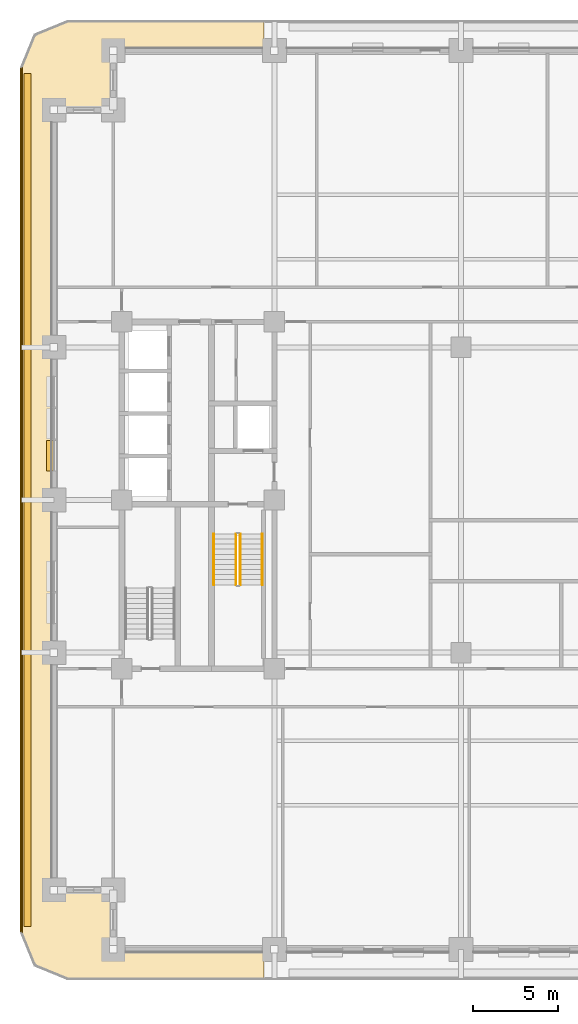
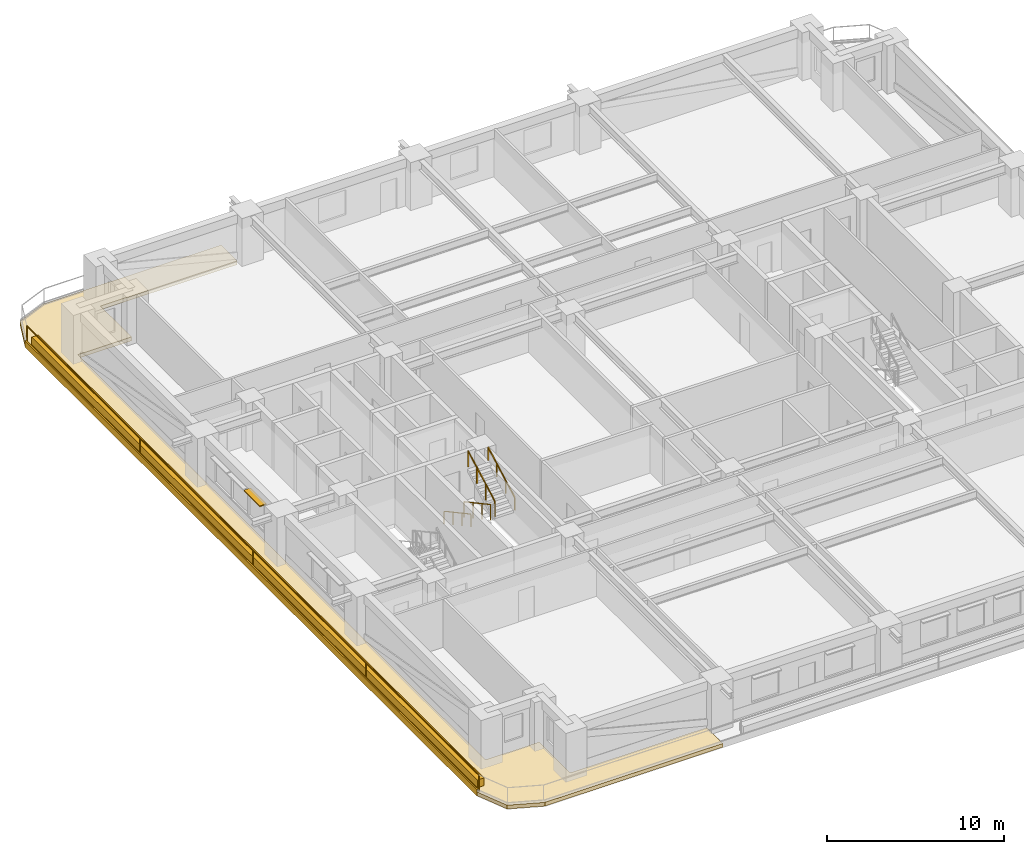
# One storey, part 9 of 13: 5 railings, 3 coverings, 1 shading device.
"""IFC4 building model written with IfcOpenShell, lengths in metres."""

from ifc_helpers import new_model, si_unit, direction, frame, frame_2d, origin, origin_2d, place, context, subcontext, project, spatial, polyline, rectangle, outline, extrude, material, layer, layer_set, type_object, element, save


model = new_model("IFC4")

# Units and contexts
model_context = context("Model", 3, precision=1e-05, world=origin(), true_north=direction((0.0, 1.0)))
body_context = subcontext(model_context, "Body", "Model", "MODEL_VIEW")
ifc_project = project(units=[si_unit("LENGTHUNIT", "METRE"), si_unit("AREAUNIT", "SQUARE_METRE"), si_unit("VOLUMEUNIT", "CUBIC_METRE"), si_unit("PLANEANGLEUNIT", "RADIAN"), si_unit("MASSUNIT", "GRAM", prefix="KILO")], contexts=[model_context])

# Site, building, storey
site_placement = place(None, origin())
site = spatial("IfcSite", under=ifc_project, at=site_placement, CompositionType="ELEMENT")
building_placement = place(site_placement, origin())
building = spatial("IfcBuilding", under=site, at=building_placement, Name="Zulmaris Gate Convention Tower", CompositionType="ELEMENT")
storey_placement = place(building_placement, frame((0.0, 0.0, 34.340087890625)))
storey = spatial("IfcBuildingStorey", under=building, at=storey_placement, Name="L07", CompositionType="ELEMENT", Elevation=34.340087890625)

# Coverings
ifc_material_1 = material(Name="White Glazed Architectural Precast Concrete C40/50", Category="concrete")
ifc_layer_1 = layer(ifc_material_1, 0.239990234375, Name="White Glazed Architectural Precast Concrete C40/50")
ifc_layer_set_1 = layer_set([ifc_layer_1], Name="White Glazed Architectural Precast Concrete C40/50")
covering_type_1 = type_object("IfcCoveringType", Name="CLAD-TRAY-DECK", PredefinedType="CLADDING", material=ifc_layer_set_1)
covering_1_placement = place(storey_placement, frame((0.0, 0.0, -0.300048828125)))
element("IfcCovering", 1, at=covering_1_placement, inside=storey, type_object=covering_type_1, Name="L07 West Rounded-Fascia Planter Tray Deck", PredefinedType="CLADDING", context=body_context, shape_type="SweptSolid", body=[
    extrude(outline(polyline([(-26.0, 25.5), (-25.179931640625, 27.47998046875), (-23.199951171875, 28.300048828125), (-11.60205078125, 28.300048828125), (-11.60205078125, 26.5), (-20.5, 26.5), (-20.5, 23.0), (-24.0, 23.0), (-24.0, -23.0), (-20.5, -23.0), (-20.5, -26.5), (-11.60205078125, -26.5), (-11.60205078125, -28.300048828125), (-23.199951171875, -28.300048828125), (-25.179931640625, -27.47998046875), (-26.0, -25.5), (-26.0, 25.5)])), origin(), (0.0, 0.0, 1.0), 0.260009765625),
])
ifc_layer_2 = layer(ifc_material_1, 0.080078125, Name="White Glazed Architectural Precast Concrete C40/50")
ifc_layer_set_2 = layer_set([ifc_layer_2], Name="White Glazed Architectural Precast Concrete C40/50")
covering_type_2 = type_object("IfcCoveringType", Name="CLAD-TRAY-FASCIA", PredefinedType="CLADDING", material=ifc_layer_set_2)
covering_2_placement = place(storey_placement, frame((-25.9599609375, 25.5, -0.340087890625), z_axis=(0.0, 0.0, 1.0), x_axis=(0.0, -1.0, 0.0)))
element("IfcCovering", 2, at=covering_2_placement, inside=storey, type_object=covering_type_2, Name="FSC-L07-TR-11", PredefinedType="CLADDING", context=body_context, shape_type="SweptSolid", body=[
    extrude(rectangle(XDim=51.0, YDim=0.080078125, at=frame_2d((25.5, 0.0))), origin(), (0.0, 0.0, 1.0), 0.460205078125),
])
ifc_material_2 = material(Name="Botanical Green Glazed Precast Concrete C40/50", Category="concrete")
ifc_layer_3 = layer(ifc_material_2, 0.419921875, Name="Botanical Green Glazed Precast Concrete C40/50")
ifc_layer_set_3 = layer_set([ifc_layer_3], Name="Botanical Green Glazed Precast Concrete C40/50")
covering_type_3 = type_object("IfcCoveringType", Name="PLANTER-BOX-200", PredefinedType="CLADDING", material=ifc_layer_set_3)
covering_3_placement = place(storey_placement, frame((0.0, 0.0, -0.0400390625)))
element("IfcCovering", 3, at=covering_3_placement, inside=storey, type_object=covering_type_3, Name="L07 W Full-Length Balcony Tree Planter Trough", PredefinedType="CLADDING", context=body_context, shape_type="SweptSolid", body=[
    extrude(outline(polyline([(-25.760009765625, -25.14990234375), (-25.340087890625, -25.14990234375), (-25.340087890625, 25.14990234375), (-25.760009765625, 25.14990234375), (-25.760009765625, -25.14990234375)])), origin(), (0.0, 0.0, 1.0), 0.52001953125),
])

# Railings
ifc_material_3 = material(Name="Laminated Glass and Stainless Steel", Category="steel")
railing_type_1 = type_object("IfcRailingType", Name="RL-BALC-1150", PredefinedType="BALUSTRADE", material=ifc_material_3)
railing_1_placement = place(storey_placement, frame((-25.8798828125, 25.5, -0.0400390625)))
element("IfcRailing", 4, at=railing_1_placement, inside=storey, type_object=railing_type_1, Name="RL-L07-BALC-W", PredefinedType="BALUSTRADE", context=body_context, shape_type="SweptSolid", body=[
    extrude(rectangle(XDim=0.048095703125, YDim=0.048095703125, at=origin_2d()), frame((0.0, 0.0, 1.1259765625), z_axis=(0.0, -1.0, 0.0), x_axis=(1.0, 0.0, 0.0)), (0.0, 0.0, 1.0), 51.0),
    extrude(rectangle(XDim=0.048095703125, YDim=0.048095703125, at=origin_2d()), frame((0.0, 0.0, 0.02392578125), z_axis=(0.0, -1.0, 0.0), x_axis=(1.0, 0.0, 0.0)), (0.0, 0.0, 1.0), 51.0),
    extrude(rectangle(XDim=0.0419921875, YDim=0.0419921875, at=origin_2d()), origin(), (0.0, 0.0, 1.0), 1.101806640625),
    extrude(rectangle(XDim=0.0419921875, YDim=0.0419921875, at=origin_2d()), frame((0.0, -12.75, 0.0)), (0.0, 0.0, 1.0), 1.101806640625),
    extrude(rectangle(XDim=0.0419921875, YDim=0.0419921875, at=origin_2d()), frame((0.0, -25.5, 0.0)), (0.0, 0.0, 1.0), 1.101806640625),
    extrude(rectangle(XDim=0.0419921875, YDim=0.0419921875, at=origin_2d()), frame((0.0, -38.25, 0.0)), (0.0, 0.0, 1.0), 1.101806640625),
    extrude(rectangle(XDim=0.0419921875, YDim=0.0419921875, at=origin_2d()), frame((0.0, -51.0, 0.0)), (0.0, 0.0, 1.0), 1.101806640625),
])
ifc_material_4 = material(Name="Painted Galvanised Steel", Category="steel")
railing_type_2 = type_object("IfcRailingType", Name="RL-STG-1150", PredefinedType="GUARDRAIL", material=ifc_material_4)
railing_2_placement = place(storey_placement, frame((-13.27001953125, -2.0, 0.162353515625)))
element("IfcRailing", 5, at=railing_2_placement, inside=storey, type_object=railing_type_2, Name="L07 ST-1 stair guard 1", PredefinedType="GUARDRAIL", context=body_context, shape_type="SweptSolid", body=[
    extrude(rectangle(XDim=0.048095703125, YDim=0.048095703125, at=origin_2d()), frame((0.0, 0.0, 1.076171875), z_axis=(0.0, -0.879591569277, 0.475729619907), x_axis=(1.0, 0.0, 0.0)), (0.0, 0.0, 1.0), 3.41064453125),
    extrude(rectangle(XDim=0.0419921875, YDim=0.0419921875, at=origin_2d()), origin(), (0.0, 0.0, 1.0), 1.052001953125),
    extrude(rectangle(XDim=0.0419921875, YDim=0.0419921875, at=origin_2d()), frame((0.0, -1.0, 0.540771484375)), (0.0, 0.0, 1.0), 1.052001953125),
    extrude(rectangle(XDim=0.0419921875, YDim=0.0419921875, at=origin_2d()), frame((0.0, -2.0, 1.081787109375)), (0.0, 0.0, 1.0), 1.052001953125),
    extrude(rectangle(XDim=0.0419921875, YDim=0.0419921875, at=origin_2d()), frame((0.0, -3.0, 1.62255859375)), (0.0, 0.0, 1.0), 1.052001953125),
])
railing_3_placement = place(storey_placement, frame((-13.010009765625, -5.0, 1.947265625)))
element("IfcRailing", 6, at=railing_3_placement, inside=storey, type_object=railing_type_2, Name="L07 ST-1 stair guard 3", PredefinedType="GUARDRAIL", context=body_context, shape_type="SweptSolid", body=[
    extrude(rectangle(XDim=0.048095703125, YDim=0.048095703125, at=origin_2d()), frame((0.0, 0.0, 1.076171875), z_axis=(0.0, 0.879591569277, 0.475729619907), x_axis=(-1.0, 0.0, 0.0)), (0.0, 0.0, 1.0), 3.41064453125),
    extrude(rectangle(XDim=0.0419921875, YDim=0.0419921875, at=origin_2d()), origin(), (0.0, 0.0, 1.0), 1.052001953125),
    extrude(rectangle(XDim=0.0419921875, YDim=0.0419921875, at=origin_2d()), frame((0.0, 1.0, 0.540771484375)), (0.0, 0.0, 1.0), 1.052001953125),
    extrude(rectangle(XDim=0.0419921875, YDim=0.0419921875, at=origin_2d()), frame((0.0, 2.0, 1.081787109375)), (0.0, 0.0, 1.0), 1.052001953125),
    extrude(rectangle(XDim=0.0419921875, YDim=0.0419921875, at=origin_2d()), frame((0.0, 3.0, 1.62255859375)), (0.0, 0.0, 1.0), 1.052001953125),
])
ifc_material_5 = material(Name="Brushed Stainless Steel", Category="steel")
railing_type_3 = type_object("IfcRailingType", Name="RL-STH-900", PredefinedType="HANDRAIL", material=ifc_material_5)
railing_4_placement = place(storey_placement, frame((-14.570068359375, -2.0, 0.162353515625)))
element("IfcRailing", 7, at=railing_4_placement, inside=storey, type_object=railing_type_3, Name="L07 ST-1 stair handrail 1", PredefinedType="HANDRAIL", context=body_context, shape_type="SweptSolid", body=[
    extrude(rectangle(XDim=0.048095703125, YDim=0.048095703125, at=origin_2d()), frame((0.0, 0.0, 0.8759765625), z_axis=(0.0, -0.879591569277, 0.475729619907), x_axis=(1.0, 0.0, 0.0)), (0.0, 0.0, 1.0), 3.41064453125),
    extrude(rectangle(XDim=0.0419921875, YDim=0.0419921875, at=origin_2d()), origin(), (0.0, 0.0, 1.0), 0.851806640625),
    extrude(rectangle(XDim=0.0419921875, YDim=0.0419921875, at=origin_2d()), frame((0.0, -1.0, 0.540771484375)), (0.0, 0.0, 1.0), 0.851806640625),
    extrude(rectangle(XDim=0.0419921875, YDim=0.0419921875, at=origin_2d()), frame((0.0, -2.0, 1.081787109375)), (0.0, 0.0, 1.0), 0.851806640625),
    extrude(rectangle(XDim=0.0419921875, YDim=0.0419921875, at=origin_2d()), frame((0.0, -3.0, 1.62255859375)), (0.0, 0.0, 1.0), 0.851806640625),
])
railing_5_placement = place(storey_placement, frame((-11.7099609375, -5.0, 1.947265625)))
element("IfcRailing", 8, at=railing_5_placement, inside=storey, type_object=railing_type_3, Name="L07 ST-1 stair handrail 2", PredefinedType="HANDRAIL", context=body_context, shape_type="SweptSolid", body=[
    extrude(rectangle(XDim=0.048095703125, YDim=0.048095703125, at=origin_2d()), frame((0.0, 0.0, 0.8759765625), z_axis=(0.0, 0.879591569277, 0.475729619907), x_axis=(-1.0, 0.0, 0.0)), (0.0, 0.0, 1.0), 3.41064453125),
    extrude(rectangle(XDim=0.0419921875, YDim=0.0419921875, at=origin_2d()), origin(), (0.0, 0.0, 1.0), 0.851806640625),
    extrude(rectangle(XDim=0.0419921875, YDim=0.0419921875, at=origin_2d()), frame((0.0, 1.0, 0.540771484375)), (0.0, 0.0, 1.0), 0.851806640625),
    extrude(rectangle(XDim=0.0419921875, YDim=0.0419921875, at=origin_2d()), frame((0.0, 2.0, 1.081787109375)), (0.0, 0.0, 1.0), 0.851806640625),
    extrude(rectangle(XDim=0.0419921875, YDim=0.0419921875, at=origin_2d()), frame((0.0, 3.0, 1.62255859375)), (0.0, 0.0, 1.0), 0.851806640625),
])

# Shading device
ifc_material_6 = material(Name="Glazed Ceramic Terracotta", Category="masonry")
ifc_layer_4 = layer(ifc_material_6, 0.070068359375, Name="Glazed Ceramic Terracotta")
ifc_layer_set_4 = layer_set([ifc_layer_4], Name="Glazed Ceramic Terracotta")
shading_device_type = type_object("IfcShadingDeviceType", Name="SHD-SUNSHADE-TC", PredefinedType="AWNING", material=ifc_layer_set_4)
shading_device_placement = place(storey_placement, frame((-24.219970703125, 3.514892578125, 2.530029296875), z_axis=(0.0, 0.0, 1.0), x_axis=(0.0, -1.0, 0.0)))
element("IfcShadingDevice", 9, at=shading_device_placement, inside=storey, type_object=shading_device_type, Name="SHD-EW-L07-W-2_0-3", PredefinedType="AWNING", context=body_context, shape_type="SweptSolid", body=[
    extrude(rectangle(XDim=1.7998046875, YDim=0.43994140625, at=frame_2d((0.89990234375, 0.0))), origin(), (0.0, 0.0, 1.0), 0.070068359375),
])

save(model, "model.ifc")
